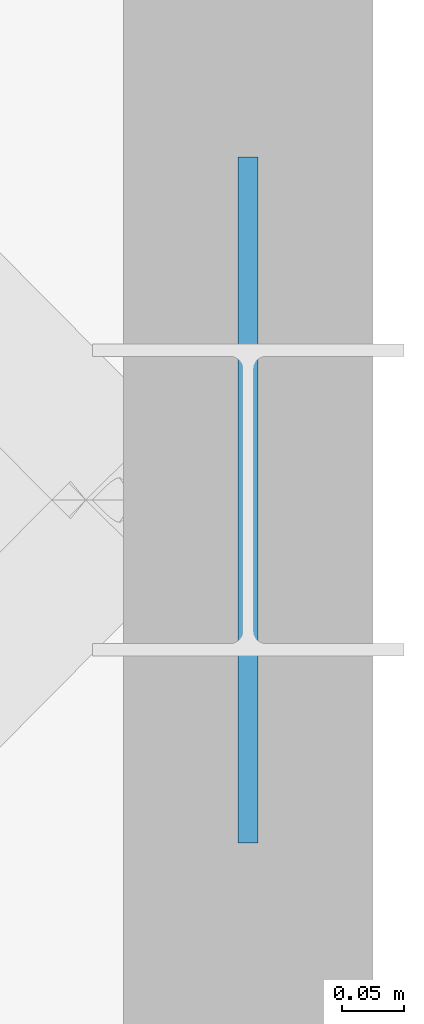
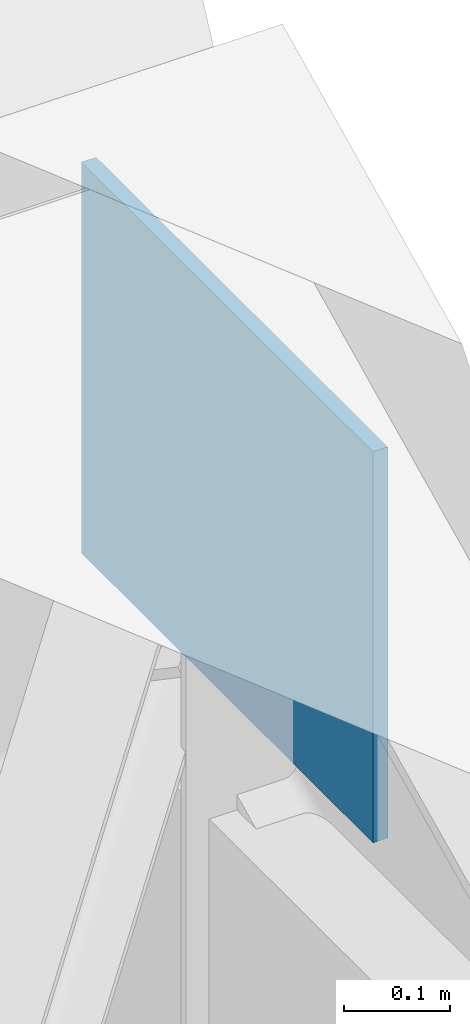
# One storey, part 8 of 9: 1 plate.
"""IFC4 building model written with IfcOpenShell, lengths in metres."""

from ifc_helpers import new_model, si_unit, direction, frame, origin, origin_2d, place, context, subcontext, project, spatial, rectangle, extrude, material, layer, layer_set, type_object, element, save


model = new_model("IFC4")

# Units and contexts
model_context = context("Model", 3, precision=1e-05, world=origin(), true_north=direction((0.0, 1.0)))
body_context = subcontext(model_context, "Body", "Model", "MODEL_VIEW")
ifc_project = project(units=[si_unit("LENGTHUNIT", "METRE"), si_unit("AREAUNIT", "SQUARE_METRE"), si_unit("VOLUMEUNIT", "CUBIC_METRE"), si_unit("PLANEANGLEUNIT", "RADIAN"), si_unit("MASSUNIT", "GRAM", prefix="KILO")], contexts=[model_context])

# Site, building, storey
site_placement = place(None, origin())
site = spatial("IfcSite", under=ifc_project, at=site_placement, CompositionType="ELEMENT")
building_placement = place(site_placement, origin())
building = spatial("IfcBuilding", under=site, at=building_placement, Name="Tharagai Park Tramway Depot", CompositionType="ELEMENT")
storey_placement = place(building_placement, frame((0.0, 0.0, 18.0)))
storey = spatial("IfcBuildingStorey", under=building, at=storey_placement, Name="RF", CompositionType="ELEMENT", Elevation=18.0)

# Plate
ifc_material = material(Name="Steel E350", Category="steel")
ifc_layer = layer(ifc_material, 0.01611328125)
ifc_layer_set = layer_set([ifc_layer], Name="Steel E350")
plate_type = type_object("IfcPlateType", Name="GP-03", PredefinedType="SHEET", material=ifc_layer_set)
plate_placement = place(storey_placement, frame((54.0, 9.0, 3.46533203125), z_axis=(0.0, 0.0, 1.0), x_axis=(1.0, 0.0, 0.0)))
element("IfcPlate", 1, at=plate_placement, inside=storey, type_object=plate_type, Name="V4S Ridge Gusset Plate GP-03", PredefinedType="SHEET", context=body_context, shape_type="SweptSolid", body=[
    extrude(rectangle(XDim=0.01611328125, YDim=0.550048828125, at=origin_2d()), origin(), (0.0, 0.0, 1.0), 0.449951171875),
])

save(model, "model.ifc")
